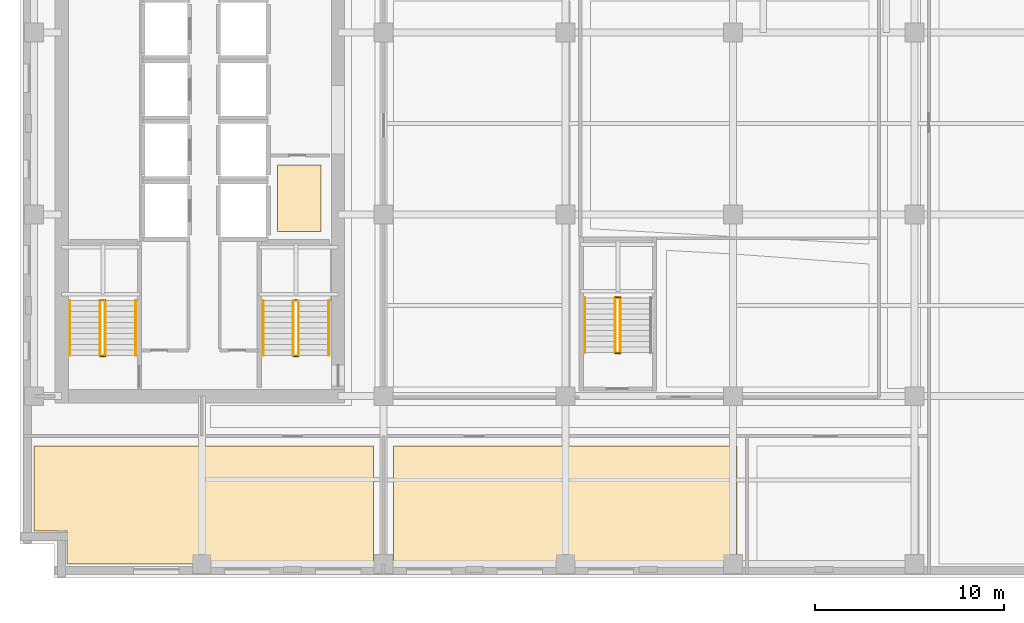
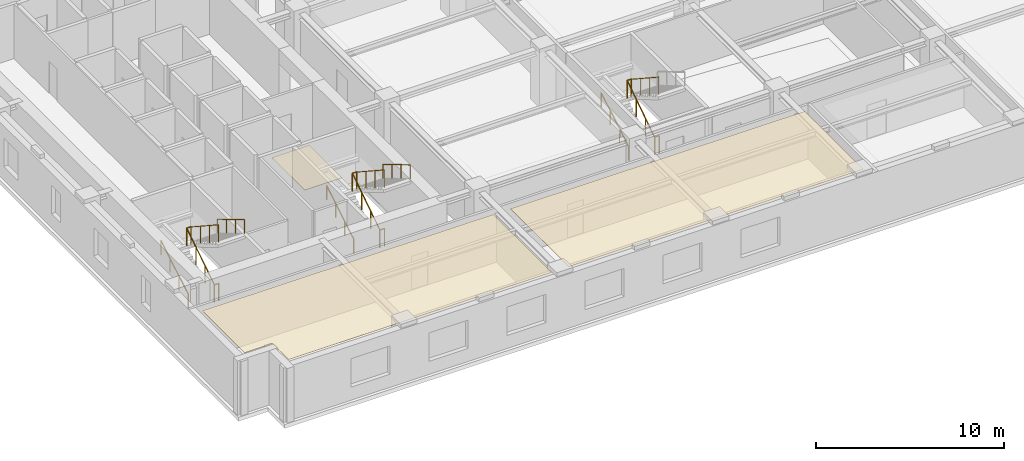
# One storey, part 8 of 12: 17 railings, 3 coverings.
"""IFC4 building model written with IfcOpenShell, lengths in metres."""

from ifc_helpers import new_model, si_unit, direction, frame, origin, origin_2d, place, context, subcontext, project, spatial, polyline, circle, outline, extrude, material, layer, layer_set, type_object, element, save


model = new_model("IFC4")

# Units and contexts
model_context = context("Model", 3, precision=1e-05, world=origin(), true_north=direction((0.0, 1.0)))
body_context = subcontext(model_context, "Body", "Model", "MODEL_VIEW")
ifc_project = project(units=[si_unit("LENGTHUNIT", "METRE"), si_unit("AREAUNIT", "SQUARE_METRE"), si_unit("VOLUMEUNIT", "CUBIC_METRE"), si_unit("PLANEANGLEUNIT", "RADIAN"), si_unit("MASSUNIT", "GRAM", prefix="KILO")], contexts=[model_context])

# Site, building, storey
site_placement = place(None, origin())
site = spatial("IfcSite", under=ifc_project, at=site_placement, CompositionType="ELEMENT")
building_placement = place(site_placement, origin())
building = spatial("IfcBuilding", under=site, at=building_placement, Name="Norrvale University Quadrangle", CompositionType="ELEMENT")
storey_placement = place(building_placement, frame((0.0, 0.0, 109.0)))
storey = spatial("IfcBuildingStorey", under=building, at=storey_placement, Name="L27", CompositionType="ELEMENT", Elevation=109.0)

# Coverings
ifc_material_1 = material(Name="Perforated Acoustic Mineral Ceiling")
ifc_layer_1 = layer(ifc_material_1, 0.02490234375, Name="Perforated Acoustic Mineral Ceiling")
ifc_layer_set_1 = layer_set([ifc_layer_1], Name="Perforated Acoustic Mineral Ceiling")
covering_type_1 = type_object("IfcCoveringType", Name="Covering Acoustic Ceiling 25", PredefinedType="CEILING", material=ifc_layer_set_1)
covering_1_placement = place(storey_placement, frame((0.0, 0.0, 3.514892578125)))
element("IfcCovering", 1, at=covering_1_placement, inside=storey, type_object=covering_type_1, Name="Acoustic Ceiling RM-L27-S01", PredefinedType="CEILING", context=body_context, shape_type="SweptSolid", body=[
    extrude(outline(polyline([(0.75, 6.969970703125), (18.669921875, 6.969970703125), (18.669921875, 0.75), (2.469970703125, 0.75), (2.469970703125, 2.469970703125), (0.75, 2.469970703125), (0.75, 6.969970703125)])), origin(), (0.0, 0.0, 1.0), 0.025146484375),
])
covering_2_placement = place(storey_placement, frame((0.0, 0.0, 3.514892578125)))
element("IfcCovering", 2, at=covering_2_placement, inside=storey, type_object=covering_type_1, Name="Acoustic Ceiling RM-L27-S02", PredefinedType="CEILING", context=body_context, shape_type="SweptSolid", body=[
    extrude(outline(polyline([(19.72998046875, 6.969970703125), (37.8701171875, 6.969970703125), (37.8701171875, 0.75), (19.72998046875, 0.75), (19.72998046875, 6.969970703125)])), origin(), (0.0, 0.0, 1.0), 0.025146484375),
])
ifc_material_2 = material(Name="Polished Terrazzo Flooring")
ifc_layer_2 = layer(ifc_material_2, 0.02490234375, Name="Polished Terrazzo Flooring")
ifc_layer_set_2 = layer_set([ifc_layer_2], Name="Polished Terrazzo Flooring")
covering_type_2 = type_object("IfcCoveringType", Name="Covering Terrazzo Floor 30", PredefinedType="FLOORING", material=ifc_layer_set_2)
covering_3_placement = place(storey_placement, origin())
element("IfcCovering", 3, at=covering_3_placement, inside=storey, type_object=covering_type_2, Name="Terrazzo Flooring RM-L27-JAN", PredefinedType="FLOORING", context=body_context, shape_type="SweptSolid", body=[
    extrude(outline(polyline([(13.60009765625, 18.300048828125), (13.60009765625, 21.800048828125), (15.89990234375, 21.800048828125), (15.89990234375, 18.300048828125), (13.60009765625, 18.300048828125)])), origin(), (0.0, 0.0, 1.0), 0.02490234375),
])

# Railings
ifc_material_3 = material(Name="Steel 350W Painted Balustrade", Category="steel")
railing_type_1 = type_object("IfcRailingType", Name="Railing Stair Guard 1100", PredefinedType="GUARDRAIL", material=ifc_material_3)
for number, where, name in (
    (4, (4.239990234375, 11.719970703125, 0.0), "Stair Floor Well Guard ST-01 L27"),
    (5, (4.239990234375, 14.679931640625, 1.89990234375), "Stair Mid-Landing Slot Guard ST-01 L27"),
):
    element("IfcRailing", number, at=place(storey_placement, frame(where)), inside=storey, type_object=railing_type_1, Name=name, PredefinedType="GUARDRAIL", context=body_context, shape_type="SweptSolid", body=[
        extrude(circle(Radius=0.02392578125, at=origin_2d()), frame((0.0, 0.0, 1.1259765625), z_axis=(1.0, 0.0, 0.0), x_axis=(0.0, 1.0, 0.0)), (0.0, 0.0, 1.0), 0.27001953125),
        extrude(circle(Radius=0.02099609375, at=origin_2d()), origin(), (0.0, 0.0, 1.0), 1.101806640625),
        extrude(circle(Radius=0.02099609375, at=origin_2d()), frame((0.27001953125, 0.0, 0.0)), (0.0, 0.0, 1.0), 1.101806640625),
    ])
railing_1_placement = place(storey_placement, frame((4.239990234375, 11.75, 0.0)))
element("IfcRailing", 6, at=railing_1_placement, inside=storey, type_object=railing_type_1, Name="Stair Lower Flight Inner Guard ST-01 L27", PredefinedType="GUARDRAIL", context=body_context, shape_type="SweptSolid", body=[
    extrude(circle(Radius=0.02392578125, at=origin_2d()), frame((0.0, 0.0, 1.1259765625), z_axis=(0.0, 0.836465582154, 0.548019461216), x_axis=(-1.0, 0.0, 0.0)), (0.0, 0.0, 1.0), 3.466796875),
    extrude(circle(Radius=0.02099609375, at=origin_2d()), origin(), (0.0, 0.0, 1.0), 1.101806640625),
    extrude(circle(Radius=0.02099609375, at=origin_2d()), frame((0.0, 0.966552734375, 0.63330078125)), (0.0, 0.0, 1.0), 1.101806640625),
    extrude(circle(Radius=0.02099609375, at=origin_2d()), frame((0.0, 1.933349609375, 1.2666015625)), (0.0, 0.0, 1.0), 1.101806640625),
    extrude(circle(Radius=0.02099609375, at=origin_2d()), frame((0.0, 2.89990234375, 1.89990234375)), (0.0, 0.0, 1.0), 1.101806640625),
])
railing_2_placement = place(storey_placement, frame((4.510009765625, 14.64990234375, 1.89990234375)))
element("IfcRailing", 7, at=railing_2_placement, inside=storey, type_object=railing_type_1, Name="Stair Upper Flight Inner Guard ST-01 L27", PredefinedType="GUARDRAIL", context=body_context, shape_type="SweptSolid", body=[
    extrude(circle(Radius=0.02392578125, at=origin_2d()), frame((0.0, 0.0, 1.1259765625), z_axis=(0.0, -0.836433300813, 0.548068730445), x_axis=(1.0, 0.0, 0.0)), (0.0, 0.0, 1.0), 3.467041015625),
    extrude(circle(Radius=0.02099609375, at=origin_2d()), origin(), (0.0, 0.0, 1.0), 1.101806640625),
    extrude(circle(Radius=0.02099609375, at=origin_2d()), frame((0.0, -0.966552734375, 0.63330078125)), (0.0, 0.0, 1.0), 1.101806640625),
    extrude(circle(Radius=0.02099609375, at=origin_2d()), frame((0.0, -1.933349609375, 1.266845703125)), (0.0, 0.0, 1.0), 1.101806640625),
    extrude(circle(Radius=0.02099609375, at=origin_2d()), frame((0.0, -2.89990234375, 1.900146484375)), (0.0, 0.0, 1.0), 1.101806640625),
])
for number, where, name in (
    (8, (14.43994140625, 11.719970703125, 0.0), "Stair Floor Well Guard ST-03 L27"),
    (9, (14.43994140625, 14.679931640625, 1.89990234375), "Stair Mid-Landing Slot Guard ST-03 L27"),
):
    element("IfcRailing", number, at=place(storey_placement, frame(where)), inside=storey, type_object=railing_type_1, Name=name, PredefinedType="GUARDRAIL", context=body_context, shape_type="SweptSolid", body=[
        extrude(circle(Radius=0.02392578125, at=origin_2d()), frame((0.0, 0.0, 1.1259765625), z_axis=(1.0, 0.0, 0.0), x_axis=(0.0, 1.0, 0.0)), (0.0, 0.0, 1.0), 0.27001953125),
        extrude(circle(Radius=0.02099609375, at=origin_2d()), origin(), (0.0, 0.0, 1.0), 1.101806640625),
        extrude(circle(Radius=0.02099609375, at=origin_2d()), frame((0.27001953125, 0.0, 0.0)), (0.0, 0.0, 1.0), 1.101806640625),
    ])
railing_3_placement = place(storey_placement, frame((14.43994140625, 11.75, 0.0)))
element("IfcRailing", 10, at=railing_3_placement, inside=storey, type_object=railing_type_1, Name="Stair Lower Flight Inner Guard ST-03 L27", PredefinedType="GUARDRAIL", context=body_context, shape_type="SweptSolid", body=[
    extrude(circle(Radius=0.02392578125, at=origin_2d()), frame((0.0, 0.0, 1.1259765625), z_axis=(0.0, 0.836465582154, 0.548019461216), x_axis=(-1.0, 0.0, 0.0)), (0.0, 0.0, 1.0), 3.466796875),
    extrude(circle(Radius=0.02099609375, at=origin_2d()), origin(), (0.0, 0.0, 1.0), 1.101806640625),
    extrude(circle(Radius=0.02099609375, at=origin_2d()), frame((0.0, 0.966552734375, 0.63330078125)), (0.0, 0.0, 1.0), 1.101806640625),
    extrude(circle(Radius=0.02099609375, at=origin_2d()), frame((0.0, 1.933349609375, 1.2666015625)), (0.0, 0.0, 1.0), 1.101806640625),
    extrude(circle(Radius=0.02099609375, at=origin_2d()), frame((0.0, 2.89990234375, 1.89990234375)), (0.0, 0.0, 1.0), 1.101806640625),
])
railing_4_placement = place(storey_placement, frame((14.7099609375, 14.64990234375, 1.89990234375)))
element("IfcRailing", 11, at=railing_4_placement, inside=storey, type_object=railing_type_1, Name="Stair Upper Flight Inner Guard ST-03 L27", PredefinedType="GUARDRAIL", context=body_context, shape_type="SweptSolid", body=[
    extrude(circle(Radius=0.02392578125, at=origin_2d()), frame((0.0, 0.0, 1.1259765625), z_axis=(0.0, -0.836433300813, 0.548068730445), x_axis=(1.0, 0.0, 0.0)), (0.0, 0.0, 1.0), 3.467041015625),
    extrude(circle(Radius=0.02099609375, at=origin_2d()), origin(), (0.0, 0.0, 1.0), 1.101806640625),
    extrude(circle(Radius=0.02099609375, at=origin_2d()), frame((0.0, -0.966552734375, 0.63330078125)), (0.0, 0.0, 1.0), 1.101806640625),
    extrude(circle(Radius=0.02099609375, at=origin_2d()), frame((0.0, -1.933349609375, 1.266845703125)), (0.0, 0.0, 1.0), 1.101806640625),
    extrude(circle(Radius=0.02099609375, at=origin_2d()), frame((0.0, -2.89990234375, 1.900146484375)), (0.0, 0.0, 1.0), 1.101806640625),
])
for number, where, name in (
    (12, (31.43994140625, 11.8701171875, 0.0), "Stair Floor Well Guard ST-04 L27"),
    (13, (31.43994140625, 14.830078125, 1.89990234375), "Stair Mid-Landing Slot Guard ST-04 L27"),
):
    element("IfcRailing", number, at=place(storey_placement, frame(where)), inside=storey, type_object=railing_type_1, Name=name, PredefinedType="GUARDRAIL", context=body_context, shape_type="SweptSolid", body=[
        extrude(circle(Radius=0.02392578125, at=origin_2d()), frame((0.0, 0.0, 1.1259765625), z_axis=(1.0, 0.0, 0.0), x_axis=(0.0, 1.0, 0.0)), (0.0, 0.0, 1.0), 0.27001953125),
        extrude(circle(Radius=0.02099609375, at=origin_2d()), origin(), (0.0, 0.0, 1.0), 1.101806640625),
        extrude(circle(Radius=0.02099609375, at=origin_2d()), frame((0.27001953125, 0.0, 0.0)), (0.0, 0.0, 1.0), 1.101806640625),
    ])
railing_5_placement = place(storey_placement, frame((31.43994140625, 11.89990234375, 0.0)))
element("IfcRailing", 14, at=railing_5_placement, inside=storey, type_object=railing_type_1, Name="Stair Lower Flight Inner Guard ST-04 L27", PredefinedType="GUARDRAIL", context=body_context, shape_type="SweptSolid", body=[
    extrude(circle(Radius=0.02392578125, at=origin_2d()), frame((0.0, 0.0, 1.1259765625), z_axis=(0.0, 0.836486729621, 0.547987181573), x_axis=(-1.0, 0.0, 0.0)), (0.0, 0.0, 1.0), 3.467041015625),
    extrude(circle(Radius=0.02099609375, at=origin_2d()), origin(), (0.0, 0.0, 1.0), 1.101806640625),
    extrude(circle(Radius=0.02099609375, at=origin_2d()), frame((0.0, 0.966796875, 0.63330078125)), (0.0, 0.0, 1.0), 1.101806640625),
    extrude(circle(Radius=0.02099609375, at=origin_2d()), frame((0.0, 1.933349609375, 1.2666015625)), (0.0, 0.0, 1.0), 1.101806640625),
    extrude(circle(Radius=0.02099609375, at=origin_2d()), frame((0.0, 2.900146484375, 1.89990234375)), (0.0, 0.0, 1.0), 1.101806640625),
])
railing_6_placement = place(storey_placement, frame((31.7099609375, 14.800048828125, 1.89990234375)))
element("IfcRailing", 15, at=railing_6_placement, inside=storey, type_object=railing_type_1, Name="Stair Upper Flight Inner Guard ST-04 L27", PredefinedType="GUARDRAIL", context=body_context, shape_type="SweptSolid", body=[
    extrude(circle(Radius=0.02392578125, at=origin_2d()), frame((0.0, 0.0, 1.1259765625), z_axis=(0.0, -0.836454451266, 0.548036450392), x_axis=(1.0, 0.0, 0.0)), (0.0, 0.0, 1.0), 3.46728515625),
    extrude(circle(Radius=0.02099609375, at=origin_2d()), origin(), (0.0, 0.0, 1.0), 1.101806640625),
    extrude(circle(Radius=0.02099609375, at=origin_2d()), frame((0.0, -0.966796875, 0.63330078125)), (0.0, 0.0, 1.0), 1.101806640625),
    extrude(circle(Radius=0.02099609375, at=origin_2d()), frame((0.0, -1.933349609375, 1.266845703125)), (0.0, 0.0, 1.0), 1.101806640625),
    extrude(circle(Radius=0.02099609375, at=origin_2d()), frame((0.0, -2.900146484375, 1.900146484375)), (0.0, 0.0, 1.0), 1.101806640625),
])
ifc_material_4 = material(Name="Stainless Steel 316L Handrail", Category="steel")
railing_type_2 = type_object("IfcRailingType", Name="Railing Stair Handrail 920", PredefinedType="HANDRAIL", material=ifc_material_4)
railing_7_placement = place(storey_placement, frame((2.639892578125, 11.75, 0.172607421875)))
element("IfcRailing", 16, at=railing_7_placement, inside=storey, type_object=railing_type_2, Name="Stair Lower Flight Handrail ST-01 L27", PredefinedType="HANDRAIL", context=body_context, shape_type="SweptSolid", body=[
    extrude(circle(Radius=0.02392578125, at=origin_2d()), frame((0.0, 0.0, 0.89599609375), z_axis=(0.0, 0.859141464434, 0.511738159696), x_axis=(-1.0, 0.0, 0.0)), (0.0, 0.0, 1.0), 3.375244140625),
    extrude(circle(Radius=0.02099609375, at=origin_2d()), origin(), (0.0, 0.0, 1.0), 0.871826171875),
    extrude(circle(Radius=0.02099609375, at=origin_2d()), frame((0.0, 0.966552734375, 0.57568359375)), (0.0, 0.0, 1.0), 0.871826171875),
    extrude(circle(Radius=0.02099609375, at=origin_2d()), frame((0.0, 1.933349609375, 1.151611328125)), (0.0, 0.0, 1.0), 0.871826171875),
    extrude(circle(Radius=0.02099609375, at=origin_2d()), frame((0.0, 2.89990234375, 1.727294921875)), (0.0, 0.0, 1.0), 0.871826171875),
])
railing_8_placement = place(storey_placement, frame((6.110107421875, 14.64990234375, 2.07275390625)))
element("IfcRailing", 17, at=railing_8_placement, inside=storey, type_object=railing_type_2, Name="Stair Upper Flight Handrail ST-01 L27", PredefinedType="HANDRAIL", context=body_context, shape_type="SweptSolid", body=[
    extrude(circle(Radius=0.02392578125, at=origin_2d()), frame((0.0, 0.0, 0.89599609375), z_axis=(0.0, -0.859141464434, 0.511738159696), x_axis=(1.0, 0.0, 0.0)), (0.0, 0.0, 1.0), 3.375244140625),
    extrude(circle(Radius=0.02099609375, at=origin_2d()), origin(), (0.0, 0.0, 1.0), 0.871826171875),
    extrude(circle(Radius=0.02099609375, at=origin_2d()), frame((0.0, -0.966552734375, 0.57568359375)), (0.0, 0.0, 1.0), 0.871826171875),
    extrude(circle(Radius=0.02099609375, at=origin_2d()), frame((0.0, -1.933349609375, 1.151611328125)), (0.0, 0.0, 1.0), 0.871826171875),
    extrude(circle(Radius=0.02099609375, at=origin_2d()), frame((0.0, -2.89990234375, 1.727294921875)), (0.0, 0.0, 1.0), 0.871826171875),
])
railing_9_placement = place(storey_placement, frame((12.840087890625, 11.75, 0.172607421875)))
element("IfcRailing", 18, at=railing_9_placement, inside=storey, type_object=railing_type_2, Name="Stair Lower Flight Handrail ST-03 L27", PredefinedType="HANDRAIL", context=body_context, shape_type="SweptSolid", body=[
    extrude(circle(Radius=0.02392578125, at=origin_2d()), frame((0.0, 0.0, 0.89599609375), z_axis=(0.0, 0.859141464434, 0.511738159696), x_axis=(-1.0, 0.0, 0.0)), (0.0, 0.0, 1.0), 3.375244140625),
    extrude(circle(Radius=0.02099609375, at=origin_2d()), origin(), (0.0, 0.0, 1.0), 0.871826171875),
    extrude(circle(Radius=0.02099609375, at=origin_2d()), frame((0.0, 0.966552734375, 0.57568359375)), (0.0, 0.0, 1.0), 0.871826171875),
    extrude(circle(Radius=0.02099609375, at=origin_2d()), frame((0.0, 1.933349609375, 1.151611328125)), (0.0, 0.0, 1.0), 0.871826171875),
    extrude(circle(Radius=0.02099609375, at=origin_2d()), frame((0.0, 2.89990234375, 1.727294921875)), (0.0, 0.0, 1.0), 0.871826171875),
])
railing_10_placement = place(storey_placement, frame((16.31005859375, 14.64990234375, 2.07275390625)))
element("IfcRailing", 19, at=railing_10_placement, inside=storey, type_object=railing_type_2, Name="Stair Upper Flight Handrail ST-03 L27", PredefinedType="HANDRAIL", context=body_context, shape_type="SweptSolid", body=[
    extrude(circle(Radius=0.02392578125, at=origin_2d()), frame((0.0, 0.0, 0.89599609375), z_axis=(0.0, -0.859141464434, 0.511738159696), x_axis=(1.0, 0.0, 0.0)), (0.0, 0.0, 1.0), 3.375244140625),
    extrude(circle(Radius=0.02099609375, at=origin_2d()), origin(), (0.0, 0.0, 1.0), 0.871826171875),
    extrude(circle(Radius=0.02099609375, at=origin_2d()), frame((0.0, -0.966552734375, 0.57568359375)), (0.0, 0.0, 1.0), 0.871826171875),
    extrude(circle(Radius=0.02099609375, at=origin_2d()), frame((0.0, -1.933349609375, 1.151611328125)), (0.0, 0.0, 1.0), 0.871826171875),
    extrude(circle(Radius=0.02099609375, at=origin_2d()), frame((0.0, -2.89990234375, 1.727294921875)), (0.0, 0.0, 1.0), 0.871826171875),
])
railing_11_placement = place(storey_placement, frame((29.840087890625, 11.89990234375, 0.172607421875)))
element("IfcRailing", 20, at=railing_11_placement, inside=storey, type_object=railing_type_2, Name="Stair Lower Flight Handrail ST-04 L27", PredefinedType="HANDRAIL", context=body_context, shape_type="SweptSolid", body=[
    extrude(circle(Radius=0.02392578125, at=origin_2d()), frame((0.0, 0.0, 0.89599609375), z_axis=(0.0, 0.859160404282, 0.51170636083), x_axis=(-1.0, 0.0, 0.0)), (0.0, 0.0, 1.0), 3.37548828125),
    extrude(circle(Radius=0.02099609375, at=origin_2d()), origin(), (0.0, 0.0, 1.0), 0.871826171875),
    extrude(circle(Radius=0.02099609375, at=origin_2d()), frame((0.0, 0.966796875, 0.57568359375)), (0.0, 0.0, 1.0), 0.871826171875),
    extrude(circle(Radius=0.02099609375, at=origin_2d()), frame((0.0, 1.933349609375, 1.151611328125)), (0.0, 0.0, 1.0), 0.871826171875),
    extrude(circle(Radius=0.02099609375, at=origin_2d()), frame((0.0, 2.900146484375, 1.727294921875)), (0.0, 0.0, 1.0), 0.871826171875),
])

save(model, "model.ifc")
